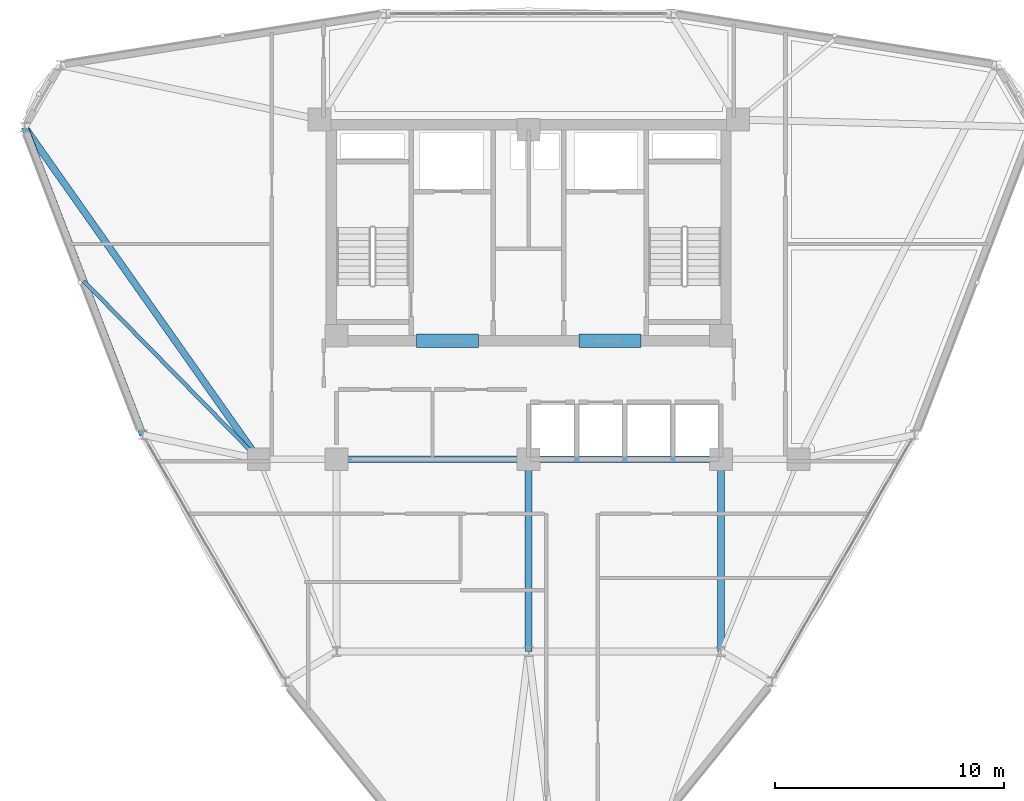
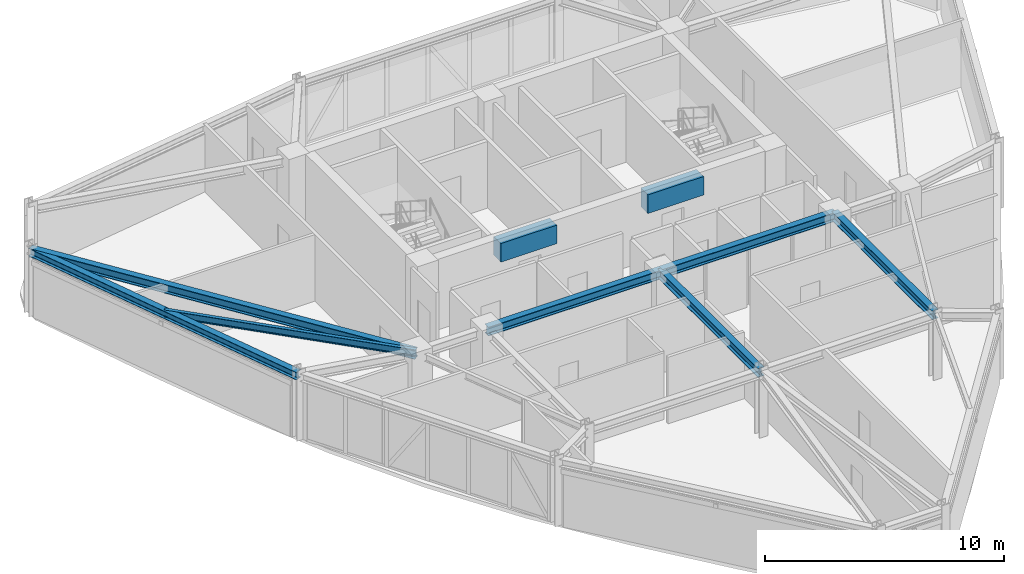
# One storey, part 5 of 14: 9 beams.
"""IFC4 building model written with IfcOpenShell, lengths in metres."""

from ifc_helpers import new_model, si_unit, derived_unit, direction, frame, origin, origin_2d, place, context, subcontext, project, spatial, rectangle, i_section, extrude, source, transform, mapped, material, material_profile, profile_set, type_object, element, save


model = new_model("IFC4")

# Units and contexts
model_context = context("Model", 3, precision=1e-05, world=origin(), true_north=direction((0.0, 1.0)))
body_context = subcontext(model_context, "Body", "Model", "MODEL_VIEW")
ifc_project = project(units=[si_unit("LENGTHUNIT", "METRE"), si_unit("AREAUNIT", "SQUARE_METRE"), si_unit("VOLUMEUNIT", "CUBIC_METRE"), si_unit("PLANEANGLEUNIT", "RADIAN"), si_unit("MASSUNIT", "GRAM", prefix="KILO"), derived_unit("THERMALTRANSMITTANCEUNIT", [(si_unit("POWERUNIT", "WATT"), 1), (si_unit("LENGTHUNIT", "METRE"), -2), (si_unit("THERMODYNAMICTEMPERATUREUNIT", "KELVIN"), -1)])], contexts=[model_context])

# Site, building, storey
site_placement = place(None, origin())
site = spatial("IfcSite", under=ifc_project, at=site_placement, CompositionType="ELEMENT")
building_placement = place(site_placement, origin())
building = spatial("IfcBuilding", under=site, at=building_placement, Name="Korsvarv Bourse and Concert Hall", CompositionType="ELEMENT")
storey_placement = place(building_placement, frame((0.0, 0.0, 193.800048828125)))
storey = spatial("IfcBuildingStorey", under=building, at=storey_placement, Name="L50", CompositionType="ELEMENT", Elevation=193.800048828125)

# Beams
ifc_material_1 = material(Name="Concrete C55/67", Category="concrete")
ifc_material_profile_1 = material_profile(ifc_material_1, rectangle(XDim=0.60009765625, YDim=0.949951171875, at=origin_2d()), Name="RC-BM 600x950")
ifc_profile_set_1 = profile_set([ifc_material_profile_1], Name="Concrete C55/67")
beam_type_1 = type_object("IfcBeamType", Name="BM-CPL", PredefinedType="LINTEL", material=ifc_profile_set_1)
shared_shape_1 = source(origin(), body_context, "Body", "SweptSolid", [
    extrude(rectangle(XDim=0.60009765625, YDim=0.949951171875, at=origin_2d()), origin(), (0.0, 0.0, 1.0), 2.699951171875),
])
for number, where, z_axis, x_axis, name in (
    (1, (31.10009765625, 37.574951171875, 2.925048828125), (1.0, 0.0, 0.0), (0.0, 1.0, 0.0), "L50 Core Coupling Beam West"),
    (2, (38.199951171875, 37.574951171875, 2.925048828125), (1.0, 0.0, 0.0), (0.0, 1.0, 0.0), "L50 Core Coupling Beam East"),
):
    element("IfcBeam", number, at=place(storey_placement, frame(where, z_axis=z_axis, x_axis=x_axis)), inside=storey, type_object=beam_type_1, Name=name, PredefinedType="LINTEL", context=body_context, shape_type="MappedRepresentation", body=[
        mapped(shared_shape_1, transform((0.0, 0.0, 0.0), scale=1.0)),
    ])
ifc_material_2 = material(Name="Steel S355", Category="steel")
ifc_material_profile_2 = material_profile(ifc_material_2, i_section(OverallWidth=0.300048828125, OverallDepth=0.449951171875, WebThickness=0.013916015625, FlangeThickness=0.02587890625, FilletRadius=0.02099609375, at=origin_2d()), Name="HEB 450")
ifc_profile_set_2 = profile_set([ifc_material_profile_2], Name="Steel S355")
beam_type_2 = type_object("IfcBeamType", Name="BM-HEB450", PredefinedType="SPANDREL", material=ifc_profile_set_2)
shared_shape_2 = source(origin(), body_context, "Body", "SweptSolid", [
    extrude(i_section(OverallWidth=0.300048828125, OverallDepth=0.449951171875, WebThickness=0.013916015625, FlangeThickness=0.02587890625, FilletRadius=0.02099609375, at=origin_2d()), origin(), (0.0, 0.0, 1.0), 8.39990234375),
])
for number, where, z_axis, x_axis, name in (
    (3, (27.60009765625, 32.39990234375, 3.175048828125), (1.0, 0.0, 0.0), (0.0, 1.0, 0.0), "L50 beam B-08"),
    (4, (36.0, 32.39990234375, 3.175048828125), (1.0, 0.0, 0.0), (0.0, 1.0, 0.0), "L50 beam B-08"),
    (5, (36.0, 24.0, 3.175048828125), (0.0, 1.0, 0.0), (-1.0, 0.0, 0.0), "L50 beam B-08"),
    (6, (44.39990234375, 24.0, 3.175048828125), (0.0, 1.0, 0.0), (-1.0, 0.0, 0.0), "L50 beam B-08"),
):
    element("IfcBeam", number, at=place(storey_placement, frame(where, z_axis=z_axis, x_axis=x_axis)), inside=storey, type_object=beam_type_2, Name=name, PredefinedType="SPANDREL", context=body_context, shape_type="MappedRepresentation", body=[
        mapped(shared_shape_2, transform((0.0, 0.0, 0.0), scale=1.0)),
    ])
ifc_material_profile_3 = material_profile(ifc_material_2, i_section(OverallWidth=0.300048828125, OverallDepth=0.389892578125, WebThickness=0.010986328125, FlangeThickness=0.01904296875, FilletRadius=0.02099609375, at=origin_2d()), Name="HEA 400")
ifc_profile_set_3 = profile_set([ifc_material_profile_3], Name="Steel S355")
beam_type_3 = type_object("IfcBeamType", Name="BM-HEA400", PredefinedType="BEAM", material=ifc_profile_set_3)
shared_shape_3 = source(origin(), body_context, "Body", "SweptSolid", [
    extrude(i_section(OverallWidth=0.300048828125, OverallDepth=0.389892578125, WebThickness=0.010986328125, FlangeThickness=0.01904296875, FilletRadius=0.02099609375, at=origin_2d()), origin(), (0.0, 0.0, 1.0), 14.408935546875),
])
beam_1_placement = place(storey_placement, frame((13.9697265625, 46.912353515625, 3.204833984375), z_axis=(0.35869521437, -0.933454735479, 0.0), x_axis=(0.933454735479, 0.35869521437, 0.0)))
element("IfcBeam", 7, at=beam_1_placement, inside=storey, type_object=beam_type_3, Name="L50 beam B-11", PredefinedType="BEAM", context=body_context, shape_type="MappedRepresentation", body=[
    mapped(shared_shape_3, transform((0.0, 0.0, 0.0), scale=1.0)),
])
shared_shape_4 = source(origin(), body_context, "Body", "SweptSolid", [
    extrude(i_section(OverallWidth=0.300048828125, OverallDepth=0.449951171875, WebThickness=0.013916015625, FlangeThickness=0.02587890625, FilletRadius=0.02099609375, at=origin_2d()), origin(), (0.0, 0.0, 1.0), 17.755859375),
])
beam_2_placement = place(storey_placement, frame((13.9697265625, 46.912353515625, 3.175048828125), z_axis=(0.57616214008, -0.817335419726, 0.0), x_axis=(0.817335419726, 0.57616214008, 0.0)))
element("IfcBeam", 8, at=beam_2_placement, inside=storey, type_object=beam_type_2, Name="L50 beam B-08", PredefinedType="SPANDREL", context=body_context, shape_type="MappedRepresentation", body=[
    mapped(shared_shape_4, transform((0.0, 0.0, 0.0), scale=1.0)),
])
ifc_material_profile_4 = material_profile(ifc_material_2, i_section(OverallWidth=0.169921875, OverallDepth=0.360107421875, WebThickness=0.008056640625, FlangeThickness=0.0126953125, FilletRadius=0.01806640625, at=origin_2d()), Name="IPE 360")
ifc_profile_set_4 = profile_set([ifc_material_profile_4], Name="Steel S355")
beam_type_4 = type_object("IfcBeamType", Name="BM-IPE360", PredefinedType="JOIST", material=ifc_profile_set_4)
shared_shape_5 = source(origin(), body_context, "Body", "SweptSolid", [
    extrude(i_section(OverallWidth=0.169921875, OverallDepth=0.360107421875, WebThickness=0.008056640625, FlangeThickness=0.0126953125, FilletRadius=0.01806640625, at=origin_2d()), origin(), (0.0, 0.0, 1.0), 10.91357421875),
])
beam_3_placement = place(storey_placement, frame((16.553955078125, 40.187255859375, 3.219970703125), z_axis=(0.70060084911, -0.713553396899, 0.0), x_axis=(0.713553396899, 0.70060084911, 0.0)))
element("IfcBeam", 9, at=beam_3_placement, inside=storey, type_object=beam_type_4, Name="L50 beam J-06", PredefinedType="JOIST", context=body_context, shape_type="MappedRepresentation", body=[
    mapped(shared_shape_5, transform((0.0, 0.0, 0.0), scale=1.0)),
])

save(model, "model.ifc")
